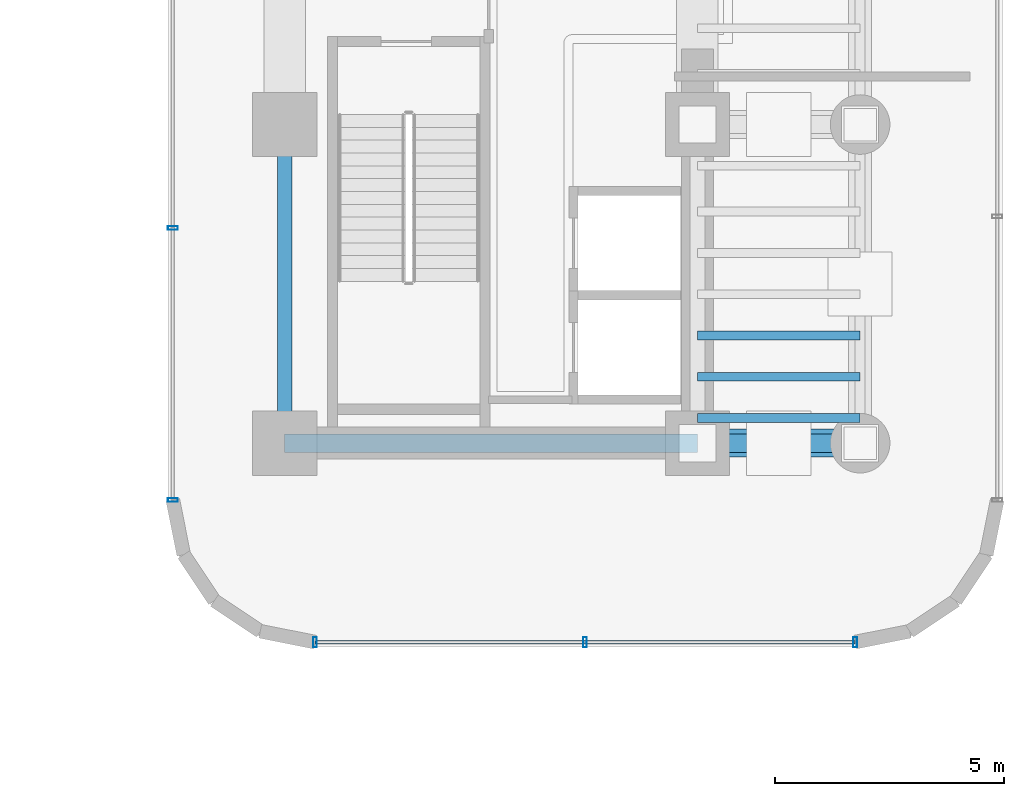
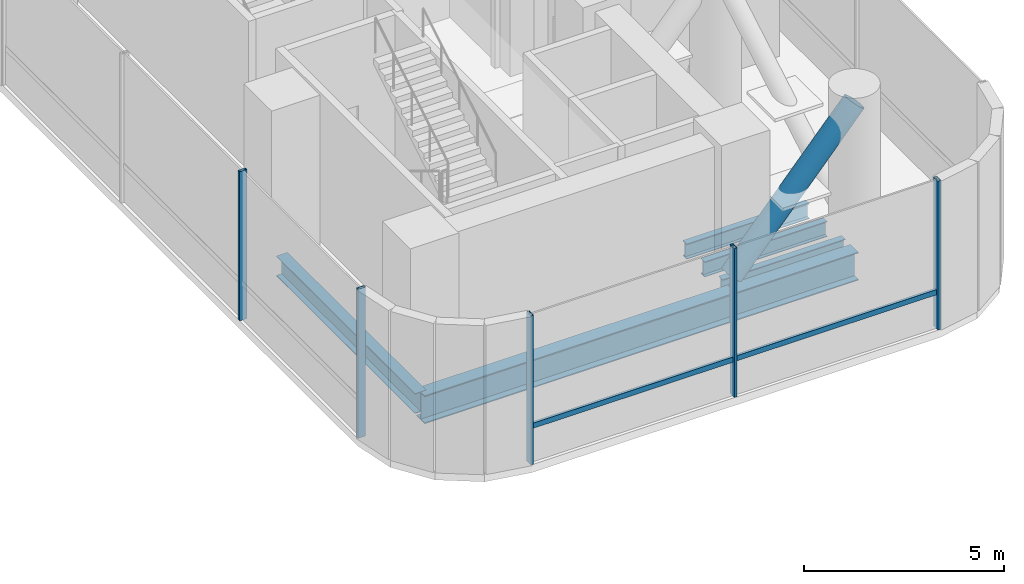
# One storey, part 14 of 39: 7 members, 6 beams, 2 elements without a shape of their own.
"""IFC4 building model written with IfcOpenShell, lengths in metres."""

from ifc_helpers import new_model, si_unit, direction, frame, origin, origin_2d, place, context, subcontext, project, spatial, hollow_rectangle, hollow_circle, i_section, extrude, source, transform, mapped, material, material_profile, profile_set, type_object, element, aggregate, save


model = new_model("IFC4")

# Units and contexts
model_context = context("Model", 3, precision=1e-05, world=origin(), true_north=direction((0.0, 1.0)))
body_context = subcontext(model_context, "Body", "Model", "MODEL_VIEW")
ifc_project = project(units=[si_unit("LENGTHUNIT", "METRE"), si_unit("AREAUNIT", "SQUARE_METRE"), si_unit("VOLUMEUNIT", "CUBIC_METRE"), si_unit("PLANEANGLEUNIT", "RADIAN"), si_unit("MASSUNIT", "GRAM", prefix="KILO")], contexts=[model_context])

# Site, building, storey
site_placement = place(None, origin())
site = spatial("IfcSite", under=ifc_project, at=site_placement, CompositionType="ELEMENT")
building_placement = place(site_placement, origin())
building = spatial("IfcBuilding", under=site, at=building_placement, Name="Valdorenza Pilgrim Sanctuary Tower", CompositionType="ELEMENT")
storey_placement = place(building_placement, frame((0.0, 0.0, 96.300048828125)))
storey = spatial("IfcBuildingStorey", under=building, at=storey_placement, Name="L24", CompositionType="ELEMENT", Elevation=96.300048828125)

# Beams
ifc_material_1 = material(Name="Steel ASTM A992 Grade 50", Category="steel")
ifc_material_profile_1 = material_profile(ifc_material_1, i_section(OverallWidth=0.323974609375, OverallDepth=0.611083984375, WebThickness=0.0126953125, FlangeThickness=0.01904296875, at=origin_2d()), Name="W24X104")
ifc_profile_set_1 = profile_set([ifc_material_profile_1], Name="Steel ASTM A992 Grade 50")
beam_type_1 = type_object("IfcBeamType", Name="STR-BM-GRD-W24B", PredefinedType="BEAM", material=ifc_profile_set_1)
shared_shape_1 = source(origin(), body_context, "Body", "SweptSolid", [
    extrude(i_section(OverallWidth=0.323974609375, OverallDepth=0.611083984375, WebThickness=0.0126953125, FlangeThickness=0.01904296875, at=origin_2d()), origin(), (0.0, 0.0, 1.0), 6.949951171875),
])
beam_1_placement = place(storey_placement, frame((15.85009765625, -9.550048828125, -0.545654296875), z_axis=(0.0, 1.0, 0.0), x_axis=(-1.0, 0.0, 0.0)))
element("IfcBeam", 1, at=beam_1_placement, inside=storey, type_object=beam_type_1, Name="L24 Core Tie Girder CB-W-S1M0", PredefinedType="BEAM", context=body_context, shape_type="MappedRepresentation", body=[
    mapped(shared_shape_1, transform((0.0, 0.0, 0.0), x_axis=(1.0, 0.0, 0.0), y_axis=(0.0, 1.0, 0.0), z_axis=(0.0, 0.0, 1.0), scale=1.0)),
])
ifc_material_profile_2 = material_profile(ifc_material_1, i_section(OverallWidth=0.193115234375, OverallDepth=0.466064453125, WebThickness=0.011474609375, FlangeThickness=0.01904296875, at=origin_2d()), Name="W18X65")
ifc_profile_set_2 = profile_set([ifc_material_profile_2], Name="Steel ASTM A992 Grade 50")
beam_type_2 = type_object("IfcBeamType", Name="STR-BM-JST-W18A", PredefinedType="JOIST", material=ifc_profile_set_2)
shared_shape_2 = source(origin(), body_context, "Body", "SweptSolid", [
    extrude(i_section(OverallWidth=0.193115234375, OverallDepth=0.466064453125, WebThickness=0.011474609375, FlangeThickness=0.01904296875, at=origin_2d()), origin(), (0.0, 0.0, 1.0), 3.5498046875),
])
for number, where, z_axis, x_axis, name in (
    (2, (24.85009765625, -9.0, -0.47314453125), (1.0, 0.0, 0.0), (0.0, 1.0, 0.0), "L24 Composite Floor Joist JST-WB-1"),
    (3, (24.85009765625, -8.10009765625, -0.47314453125), (1.0, 0.0, 0.0), (0.0, 1.0, 0.0), "L24 Composite Floor Joist JST-WB-2"),
    (4, (24.85009765625, -7.199951171875, -0.47314453125), (1.0, 0.0, 0.0), (0.0, 1.0, 0.0), "L24 Composite Floor Joist JST-WB-3"),
):
    element("IfcBeam", number, at=place(storey_placement, frame(where, z_axis=z_axis, x_axis=x_axis)), inside=storey, type_object=beam_type_2, Name=name, PredefinedType="JOIST", context=body_context, shape_type="MappedRepresentation", body=[
        mapped(shared_shape_2, transform((0.0, 0.0, 0.0), x_axis=(1.0, 0.0, 0.0), y_axis=(0.0, 1.0, 0.0), z_axis=(0.0, 0.0, 1.0), scale=1.0)),
    ])
ifc_material_profile_3 = material_profile(ifc_material_1, i_section(OverallWidth=0.39990234375, OverallDepth=0.862060546875, WebThickness=0.019775390625, FlangeThickness=0.032470703125, at=origin_2d()), Name="W33X221")
ifc_profile_set_3 = profile_set([ifc_material_profile_3], Name="Steel ASTM A992 Grade 50")
beam_type_3 = type_object("IfcBeamType", Name="STR-BM-GRD-W33", PredefinedType="BEAM", material=ifc_profile_set_3)
shared_shape_3 = source(origin(), body_context, "Body", "SweptSolid", [
    extrude(i_section(OverallWidth=0.39990234375, OverallDepth=0.862060546875, WebThickness=0.019775390625, FlangeThickness=0.032470703125, at=origin_2d()), origin(), (0.0, 0.0, 1.0), 9.0),
])
beam_2_placement = place(storey_placement, frame((15.85009765625, -9.550048828125, -0.671142578125), z_axis=(1.0, 0.0, 0.0), x_axis=(0.0, 1.0, 0.0)))
element("IfcBeam", 5, at=beam_2_placement, inside=storey, type_object=beam_type_3, Name="L24 Floor Girder CB-XC-S1", PredefinedType="BEAM", context=body_context, shape_type="MappedRepresentation", body=[
    mapped(shared_shape_3, transform((0.0, 0.0, 0.0), x_axis=(1.0, 0.0, 0.0), y_axis=(0.0, 1.0, 0.0), z_axis=(0.0, 0.0, 1.0), scale=1.0)),
])
shared_shape_4 = source(origin(), body_context, "Body", "SweptSolid", [
    extrude(i_section(OverallWidth=0.39990234375, OverallDepth=0.862060546875, WebThickness=0.019775390625, FlangeThickness=0.032470703125, at=origin_2d()), origin(), (0.0, 0.0, 1.0), 3.5498046875),
])
beam_3_placement = place(storey_placement, frame((24.85009765625, -9.550048828125, -0.671142578125), z_axis=(1.0, 0.0, 0.0), x_axis=(0.0, 1.0, 0.0)))
element("IfcBeam", 6, at=beam_3_placement, inside=storey, type_object=beam_type_3, Name="L24 Floor Girder WB-XE-S1", PredefinedType="BEAM", context=body_context, shape_type="MappedRepresentation", body=[
    mapped(shared_shape_4, transform((0.0, 0.0, 0.0), x_axis=(1.0, 0.0, 0.0), y_axis=(0.0, 1.0, 0.0), z_axis=(0.0, 0.0, 1.0), scale=1.0)),
])

# Member
ifc_material_2 = material(Name="Steel S355J2", Category="steel")
ifc_material_profile_4 = material_profile(ifc_material_2, hollow_circle(Radius=0.304931640625, WallThickness=0.02490234375, at=origin_2d()), Name="CHS 610x25")
ifc_profile_set_4 = profile_set([ifc_material_profile_4], Name="Steel S355J2")
member_type_1 = type_object("IfcMemberType", Name="STR-MB-CHS-610", PredefinedType="STRUT", material=ifc_profile_set_4)
shared_shape_5 = source(origin(), body_context, "Body", "SweptSolid", [
    extrude(hollow_circle(Radius=0.304931640625, WallThickness=0.02490234375, at=origin_2d()), origin(), (0.0, 0.0, 1.0), 5.385498046875),
])
member_1_placement = place(storey_placement, frame((24.85009765625, -9.550048828125, 0.199951171875), z_axis=(0.659136625441, 0.0, 0.752023210415), x_axis=(0.0, 1.0, 0.0)))
element("IfcMember", 7, at=member_1_placement, inside=storey, type_object=member_type_1, Name="L24 East Wing Outrigger Truss Strut WB1", PredefinedType="STRUT", context=body_context, shape_type="MappedRepresentation", body=[
    mapped(shared_shape_5, transform((0.0, 0.0, 0.0), x_axis=(1.0, 0.0, 0.0), y_axis=(0.0, 1.0, 0.0), z_axis=(0.0, 0.0, 1.0), scale=1.0)),
])

# Curtain wall, members
ifc_material_3 = material(Name="Curtain-wall IGU glazing", Category="glass")
curtain_wall_type = type_object("IfcCurtainWallType", Name="CW-SYS-03", PredefinedType="NOTDEFINED", material=ifc_material_3)
curtain_wall_1_placement = place(storey_placement, origin())
curtain_wall_1 = element("IfcCurtainWall", 8, at=curtain_wall_1_placement, inside=storey, type_object=curtain_wall_type, Name="L24 Curtain Wall CW-L24-1-26", PredefinedType="NOTDEFINED")
ifc_material_4 = material(Name="Anodised aluminium AW-6060", Category="aluminium")
ifc_material_profile_5 = material_profile(ifc_material_4, hollow_rectangle(XDim=0.074951171875, YDim=0.159912109375, WallThickness=0.00390625, at=origin_2d()), Name="ALU-T 160x75x4")
ifc_profile_set_5 = profile_set([ifc_material_profile_5], Name="Anodised aluminium AW-6060")
member_type_2 = type_object("IfcMemberType", Name="CW-TRN-03", PredefinedType="USERDEFINED", material=ifc_profile_set_5)
shared_shape_6 = source(origin(), body_context, "Body", "SweptSolid", [
    extrude(hollow_rectangle(XDim=0.074951171875, YDim=0.159912109375, WallThickness=0.00390625, at=origin_2d()), origin(), (0.0, 0.0, 1.0), 11.778564453125),
])
member_2_placement = place(storey_placement, frame((28.289306640625, -13.889892578125, 1.119873046875), z_axis=(-1.0, 0.0, 0.0), x_axis=(0.0, -1.0, 0.0)))
member_2 = element("IfcMember", 9, at=member_2_placement, type_object=member_type_2, Name="CW-L24-1-26 Transom 1", ObjectType="TRANSOM", PredefinedType="USERDEFINED", context=body_context, shape_type="MappedRepresentation", body=[
    mapped(shared_shape_6, transform((0.0, 0.0, 0.0), x_axis=(1.0, 0.0, 0.0), y_axis=(0.0, 1.0, 0.0), z_axis=(0.0, 0.0, 1.0), scale=1.0)),
])
ifc_material_profile_6 = material_profile(ifc_material_4, hollow_rectangle(XDim=0.0849609375, YDim=0.219970703125, WallThickness=0.0048828125, at=origin_2d()), Name="ALU-M 220x85x5")
ifc_profile_set_6 = profile_set([ifc_material_profile_6], Name="Anodised aluminium AW-6060")
member_type_3 = type_object("IfcMemberType", Name="CW-MUL-03", PredefinedType="MULLION", material=ifc_profile_set_6)
shared_shape_7 = source(origin(), body_context, "Body", "SweptSolid", [
    extrude(hollow_rectangle(XDim=0.0849609375, YDim=0.219970703125, WallThickness=0.0048828125, at=origin_2d()), origin(), (0.0, 0.0, 1.0), 4.56005859375),
])
member_3_placement = place(storey_placement, frame((28.289306640625, -13.889892578125, 0.0), z_axis=(0.0, 0.0, 1.0), x_axis=(-1.0, 0.0, 0.0)))
member_3 = element("IfcMember", 10, at=member_3_placement, type_object=member_type_3, Name="CW-L24-1-26 Mullion 1", PredefinedType="MULLION", context=body_context, shape_type="MappedRepresentation", body=[
    mapped(shared_shape_7, transform((0.0, 0.0, 0.0), x_axis=(1.0, 0.0, 0.0), y_axis=(0.0, 1.0, 0.0), z_axis=(0.0, 0.0, 1.0), scale=1.0)),
])
member_4_placement = place(storey_placement, frame((22.39990234375, -13.889892578125, 0.0), z_axis=(0.0, 0.0, 1.0), x_axis=(-1.0, 0.0, 0.0)))
member_4 = element("IfcMember", 11, at=member_4_placement, type_object=member_type_3, Name="CW-L24-1-26 Mullion 2", PredefinedType="MULLION", context=body_context, shape_type="MappedRepresentation", body=[
    mapped(shared_shape_7, transform((0.0, 0.0, 0.0), x_axis=(1.0, 0.0, 0.0), y_axis=(0.0, 1.0, 0.0), z_axis=(0.0, 0.0, 1.0), scale=1.0)),
])
member_5_placement = place(storey_placement, frame((16.5107421875, -13.889892578125, 0.0), z_axis=(0.0, 0.0, 1.0), x_axis=(-1.0, 0.0, 0.0)))
member_5 = element("IfcMember", 12, at=member_5_placement, type_object=member_type_3, Name="CW-L24-1-26 Mullion 3", PredefinedType="MULLION", context=body_context, shape_type="MappedRepresentation", body=[
    mapped(shared_shape_7, transform((0.0, 0.0, 0.0), x_axis=(1.0, 0.0, 0.0), y_axis=(0.0, 1.0, 0.0), z_axis=(0.0, 0.0, 1.0), scale=1.0)),
])
aggregate(curtain_wall_1, [member_3, member_4, member_5, member_2])

curtain_wall_2_placement = place(storey_placement, origin())
curtain_wall_2 = element("IfcCurtainWall", 13, at=curtain_wall_2_placement, inside=storey, type_object=curtain_wall_type, Name="L24 Curtain Wall CW-L24-1-31", PredefinedType="NOTDEFINED")
member_6_placement = place(storey_placement, frame((13.409912109375, -10.789306640625, 0.0), z_axis=(0.0, 0.0, 1.0), x_axis=(0.0, 1.0, 0.0)))
member_6 = element("IfcMember", 14, at=member_6_placement, type_object=member_type_3, Name="CW-L24-1-31 Mullion 1", PredefinedType="MULLION", context=body_context, shape_type="MappedRepresentation", body=[
    mapped(shared_shape_7, transform((0.0, 0.0, 0.0), x_axis=(1.0, 0.0, 0.0), y_axis=(0.0, 1.0, 0.0), z_axis=(0.0, 0.0, 1.0), scale=1.0)),
])
member_7_placement = place(storey_placement, frame((13.409912109375, -4.85595703125, 0.0), z_axis=(0.0, 0.0, 1.0), x_axis=(0.0, 1.0, 0.0)))
member_7 = element("IfcMember", 15, at=member_7_placement, type_object=member_type_3, Name="CW-L24-1-31 Mullion 2", PredefinedType="MULLION", context=body_context, shape_type="MappedRepresentation", body=[
    mapped(shared_shape_7, transform((0.0, 0.0, 0.0), x_axis=(1.0, 0.0, 0.0), y_axis=(0.0, 1.0, 0.0), z_axis=(0.0, 0.0, 1.0), scale=1.0)),
])
aggregate(curtain_wall_2, [member_6, member_7])

save(model, "model.ifc")
